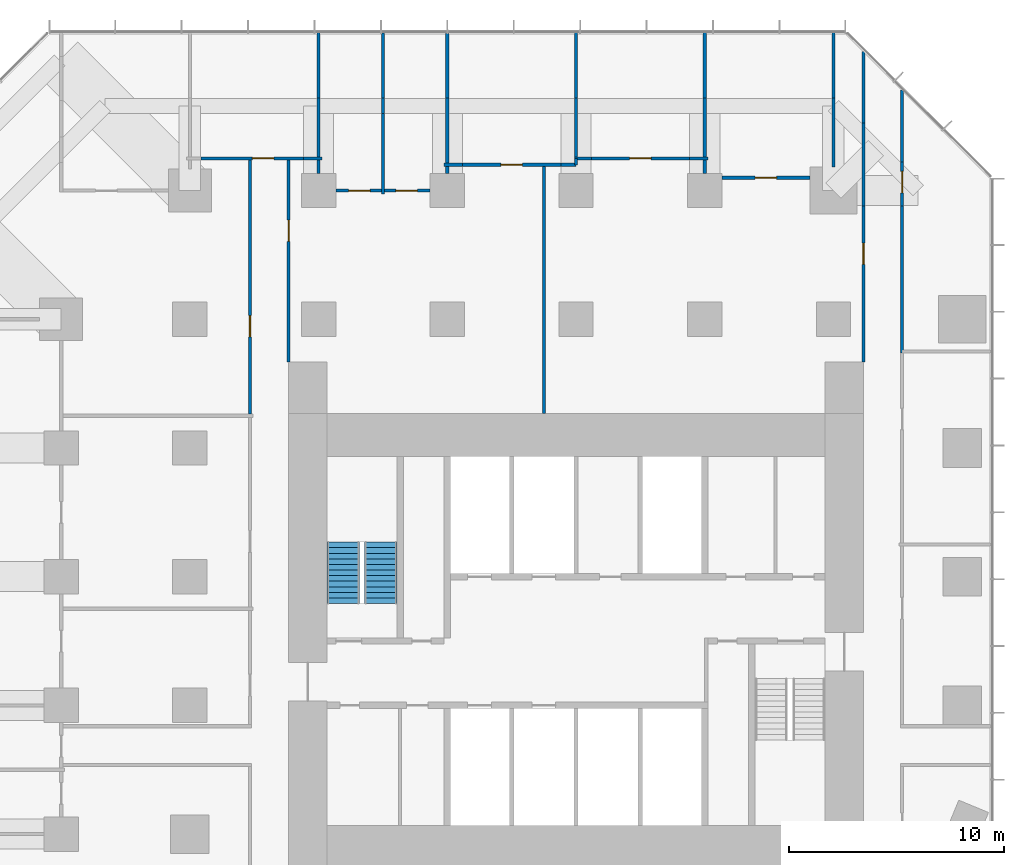
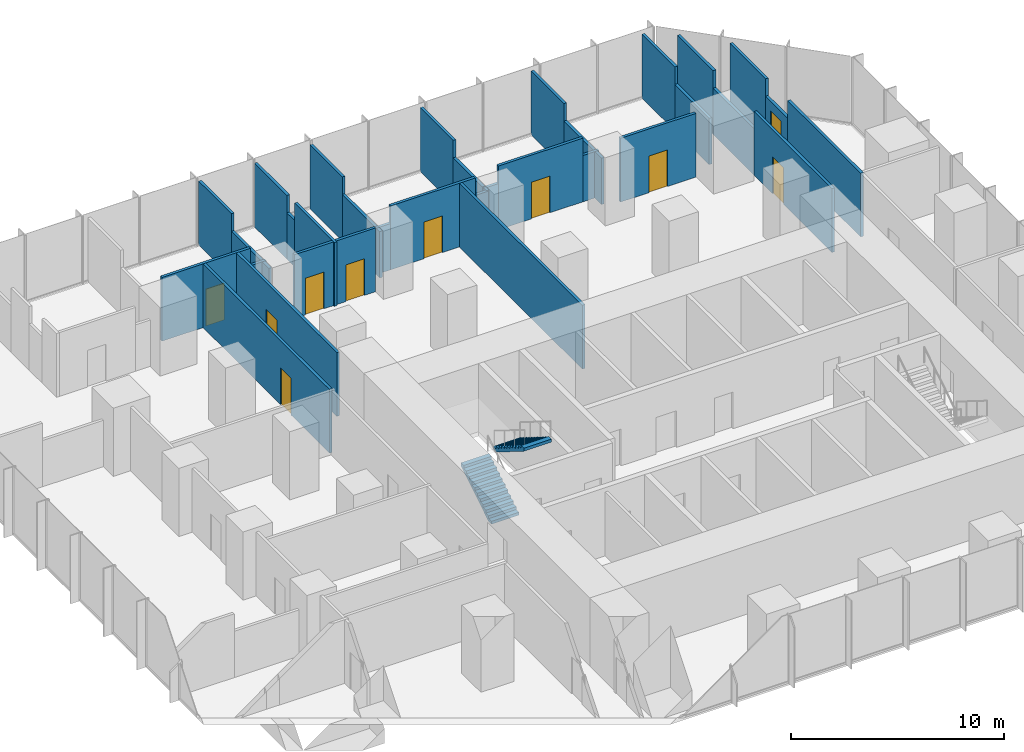
# One storey, part 10 of 12: 37 walls, 10 doors, 2 stair flights, 10 openings, 1 element without a shape of its own.
"""IFC4 building model written with IfcOpenShell, lengths in metres."""

from ifc_helpers import new_model, si_unit, direction, frame, frame_2d, origin, place, context, subcontext, project, spatial, polyline, rectangle, outline, extrude, material, layer, layer_set, type_object, element, fill, aggregate, save


model = new_model("IFC4")

# Units and contexts
model_context = context("Model", 3, precision=1e-05, world=origin(), true_north=direction((0.0, 1.0)))
body_context = subcontext(model_context, "Body", "Model", "MODEL_VIEW")
ifc_project = project(units=[si_unit("LENGTHUNIT", "METRE"), si_unit("AREAUNIT", "SQUARE_METRE"), si_unit("VOLUMEUNIT", "CUBIC_METRE"), si_unit("PLANEANGLEUNIT", "RADIAN"), si_unit("MASSUNIT", "GRAM", prefix="KILO")], contexts=[model_context])

# Site, building, storey
site_placement = place(None, origin())
site = spatial("IfcSite", under=ifc_project, at=site_placement, CompositionType="ELEMENT")
building_placement = place(site_placement, origin())
building = spatial("IfcBuilding", under=site, at=building_placement, Name="Highveld Stack Headquarters", CompositionType="ELEMENT")
storey_placement = place(building_placement, frame((0.0, 0.0, 101.60009765625)))
storey = spatial("IfcBuildingStorey", under=building, at=storey_placement, Name="L24", CompositionType="ELEMENT", Elevation=101.60009765625)

# Wall, opening, door
ifc_material_1 = material(Name="Laminated glass in aluminium frame", Category="aluminium")
ifc_layer_1 = layer(ifc_material_1, 0.14990234375)
ifc_layer_set_1 = layer_set([ifc_layer_1], Name="Laminated glass in aluminium frame")
wall_type_1 = type_object("IfcWallType", Name="GLAZED PARTITION 150", PredefinedType="PARTITIONING", material=ifc_layer_set_1)
wall_1_placement = place(storey_placement, frame((12.800048828125, 24.60009765625, 0.0), z_axis=(0.0, 0.0, 1.0), x_axis=(1.0, 0.0, 0.0)))
wall_1 = element("IfcWall", 1, at=wall_1_placement, inside=storey, type_object=wall_type_1, Name="Glazed partition Video conference room L24", PredefinedType="PARTITIONING", context=body_context, shape_type="SweptSolid", body=[
    extrude(rectangle(XDim=4.099853515625, YDim=0.14990234375, at=frame_2d((2.0498046875, 0.0))), origin(), (0.0, 0.0, 1.0), 3.64990234375),
])
opening_1_placement = place(wall_1_placement, frame((1.550048828125, 0.0, 0.0)))
opening_1 = element("IfcOpeningElement", 2, at=opening_1_placement, cuts=wall_1, Name="Opening L24-22", PredefinedType="OPENING", context=body_context, shape_type="SweptSolid", body=[
    extrude(rectangle(XDim=1.0, YDim=2.10009765625, at=frame_2d((0.5, 1.050048828125))), frame((0.0, 0.0849609375, 0.0), z_axis=(0.0, -1.0, 0.0), x_axis=(1.0, 0.0, 0.0)), (0.0, 0.0, 1.0), 0.169921875),
])
ifc_material_2 = material(Name="Timber door, oiled ash", Category="wood")
door_type = type_object("IfcDoorType", Name="ROOM DOOR D6 1000x2100", OperationType="SINGLE_SWING_LEFT", PredefinedType="DOOR", material=ifc_material_2)
door_1_placement = place(opening_1_placement, origin())
door_1 = element("IfcDoor", 3, at=door_1_placement, inside=storey, type_object=door_type, Name="Video conference room door 1 L24", OperationType="SINGLE_SWING_RIGHT", OverallHeight=2.10009765625, OverallWidth=1.0, PredefinedType="DOOR", context=body_context, shape_type="SweptSolid", body=[
    extrude(rectangle(XDim=1.0, YDim=2.10009765625, at=frame_2d((0.5, 1.050048828125))), frame((0.0, 0.02490234375, 0.0), z_axis=(0.0, -1.0, 0.0), x_axis=(1.0, 0.0, 0.0)), (0.0, 0.0, 1.0), 0.050048828125),
])
fill(opening_1, door_1)

ifc_material_3 = material(Name="Gypsum plasterboard on steel studs", Category="steel")
ifc_layer_2 = layer(ifc_material_3, 0.14990234375)
ifc_layer_set_2 = layer_set([ifc_layer_2], Name="Gypsum plasterboard on steel studs")
wall_type_2 = type_object("IfcWallType", Name="PARTITION 150 PLASTERBOARD", PredefinedType="PARTITIONING", material=ifc_layer_set_2)
wall_2_placement = place(storey_placement, frame((-5.199951171875, 24.0, 0.0), z_axis=(0.0, 0.0, 1.0), x_axis=(1.0, 0.0, 0.0)))
wall_2 = element("IfcWall", 4, at=wall_2_placement, inside=storey, type_object=wall_type_2, Name="Partition Office L24", PredefinedType="PARTITIONING", context=body_context, shape_type="SweptSolid", body=[
    extrude(rectangle(XDim=2.125, YDim=0.14990234375, at=frame_2d((1.0625, 0.0))), origin(), (0.0, 0.0, 1.0), 3.64990234375),
])
opening_2_placement = place(wall_2_placement, frame((0.60009765625, 0.0, 0.0)))
opening_2 = element("IfcOpeningElement", 5, at=opening_2_placement, cuts=wall_2, Name="Opening L24-18", PredefinedType="OPENING", context=body_context, shape_type="SweptSolid", body=[
    extrude(rectangle(XDim=1.0, YDim=2.10009765625, at=frame_2d((0.5, 1.050048828125))), frame((0.0, 0.0849609375, 0.0), z_axis=(0.0, -1.0, 0.0), x_axis=(1.0, 0.0, 0.0)), (0.0, 0.0, 1.0), 0.169921875),
])
door_2_placement = place(opening_2_placement, origin())
door_2 = element("IfcDoor", 6, at=door_2_placement, inside=storey, type_object=door_type, Name="Office door 1 L24", OperationType="SINGLE_SWING_RIGHT", OverallHeight=2.10009765625, OverallWidth=1.0, PredefinedType="DOOR", context=body_context, shape_type="SweptSolid", body=[
    extrude(rectangle(XDim=1.0, YDim=2.10009765625, at=frame_2d((0.5, 1.050048828125))), frame((0.0, 0.02490234375, 0.0), z_axis=(0.0, -1.0, 0.0), x_axis=(1.0, 0.0, 0.0)), (0.0, 0.0, 1.0), 0.050048828125),
])
fill(opening_2, door_2)

wall_3_placement = place(storey_placement, frame((-2.925048828125, 24.0, 0.0), z_axis=(0.0, 0.0, 1.0), x_axis=(1.0, 0.0, 0.0)))
wall_3 = element("IfcWall", 7, at=wall_3_placement, inside=storey, type_object=wall_type_2, Name="Partition Office L24", PredefinedType="PARTITIONING", context=body_context, shape_type="SweptSolid", body=[
    extrude(rectangle(XDim=2.125, YDim=0.14990234375, at=frame_2d((1.0625, 0.0))), origin(), (0.0, 0.0, 1.0), 3.64990234375),
])
opening_3_placement = place(wall_3_placement, frame((0.52490234375, 0.0, 0.0)))
opening_3 = element("IfcOpeningElement", 8, at=opening_3_placement, cuts=wall_3, Name="Opening L24-19", PredefinedType="OPENING", context=body_context, shape_type="SweptSolid", body=[
    extrude(rectangle(XDim=1.0, YDim=2.10009765625, at=frame_2d((0.5, 1.050048828125))), frame((0.0, 0.0849609375, 0.0), z_axis=(0.0, -1.0, 0.0), x_axis=(1.0, 0.0, 0.0)), (0.0, 0.0, 1.0), 0.169921875),
])
door_3_placement = place(opening_3_placement, origin())
door_3 = element("IfcDoor", 9, at=door_3_placement, inside=storey, type_object=door_type, Name="Office door 1 L24", OperationType="SINGLE_SWING_LEFT", OverallHeight=2.10009765625, OverallWidth=1.0, PredefinedType="DOOR", context=body_context, shape_type="SweptSolid", body=[
    extrude(rectangle(XDim=1.0, YDim=2.10009765625, at=frame_2d((0.5, 1.050048828125))), frame((0.0, 0.02490234375, 0.0), z_axis=(0.0, -1.0, 0.0), x_axis=(1.0, 0.0, 0.0)), (0.0, 0.0, 1.0), 0.050048828125),
])
fill(opening_3, door_3)

# Wall
wall_4_placement = place(storey_placement, frame((-0.14990234375, 25.199951171875, 0.0), z_axis=(0.0, 0.0, 1.0), x_axis=(1.0, 0.0, 0.0)))
element("IfcWall", 10, at=wall_4_placement, inside=storey, type_object=wall_type_2, Name="Partition Tea kitchen L24", PredefinedType="PARTITIONING", context=body_context, shape_type="SweptSolid", body=[
    extrude(rectangle(XDim=0.85986328125, YDim=0.14990234375, at=frame_2d((0.429931640625, 0.0))), origin(), (0.0, 0.0, 1.0), 2.64990234375),
])

# Wall, opening, door
wall_5_placement = place(storey_placement, frame((0.7099609375, 25.199951171875, 0.0), z_axis=(0.0, 0.0, 1.0), x_axis=(1.0, 0.0, 0.0)))
wall_5 = element("IfcWall", 11, at=wall_5_placement, inside=storey, type_object=wall_type_2, Name="Partition Tea kitchen L24", PredefinedType="PARTITIONING", context=body_context, shape_type="SweptSolid", body=[
    extrude(rectangle(XDim=4.580078125, YDim=0.14990234375, at=frame_2d((2.2900390625, 0.0))), origin(), (0.0, 0.0, 1.0), 3.64990234375),
])
opening_4_placement = place(wall_5_placement, frame((1.7900390625, 0.0, 0.0)))
opening_4 = element("IfcOpeningElement", 12, at=opening_4_placement, cuts=wall_5, Name="Opening L24-20", PredefinedType="OPENING", context=body_context, shape_type="SweptSolid", body=[
    extrude(rectangle(XDim=1.0, YDim=2.10009765625, at=frame_2d((0.5, 1.050048828125))), frame((0.0, 0.0849609375, 0.0), z_axis=(0.0, -1.0, 0.0), x_axis=(1.0, 0.0, 0.0)), (0.0, 0.0, 1.0), 0.169921875),
])
door_4_placement = place(opening_4_placement, origin())
door_4 = element("IfcDoor", 13, at=door_4_placement, inside=storey, type_object=door_type, Name="Tea kitchen door 1 L24", OperationType="SINGLE_SWING_RIGHT", OverallHeight=2.10009765625, OverallWidth=1.0, PredefinedType="DOOR", context=body_context, shape_type="SweptSolid", body=[
    extrude(rectangle(XDim=1.0, YDim=2.10009765625, at=frame_2d((0.5, 1.050048828125))), frame((0.0, 0.02490234375, 0.0), z_axis=(0.0, -1.0, 0.0), x_axis=(1.0, 0.0, 0.0)), (0.0, 0.0, 1.0), 0.050048828125),
])
fill(opening_4, door_4)

# Wall
wall_6_placement = place(storey_placement, frame((5.2900390625, 25.199951171875, 0.0), z_axis=(0.0, 0.0, 1.0), x_axis=(1.0, 0.0, 0.0)))
element("IfcWall", 14, at=wall_6_placement, inside=storey, type_object=wall_type_2, Name="Partition Tea kitchen L24", PredefinedType="PARTITIONING", context=body_context, shape_type="SweptSolid", body=[
    extrude(rectangle(XDim=0.7099609375, YDim=0.14990234375, at=frame_2d((0.35498046875, 0.0))), origin(), (0.0, 0.0, 1.0), 2.64990234375),
])

# Wall, opening, door
wall_7_placement = place(storey_placement, frame((-11.489990234375, 25.5, 0.0), z_axis=(0.0, 0.0, 1.0), x_axis=(1.0, 0.0, 0.0)))
wall_7 = element("IfcWall", 15, at=wall_7_placement, inside=storey, type_object=wall_type_2, Name="Partition Quiet room L24", PredefinedType="PARTITIONING", context=body_context, shape_type="SweptSolid", body=[
    extrude(rectangle(XDim=4.780029296875, YDim=0.14990234375, at=frame_2d((2.39013671875, 0.0))), origin(), (0.0, 0.0, 1.0), 3.64990234375),
])
opening_5_placement = place(wall_7_placement, frame((2.39990234375, 0.0, 0.0)))
opening_5 = element("IfcOpeningElement", 16, at=opening_5_placement, cuts=wall_7, Name="Opening L24-17", PredefinedType="OPENING", context=body_context, shape_type="SweptSolid", body=[
    extrude(rectangle(XDim=1.0, YDim=2.10009765625, at=frame_2d((0.5, 1.050048828125))), frame((0.0, 0.0849609375, 0.0), z_axis=(0.0, -1.0, 0.0), x_axis=(1.0, 0.0, 0.0)), (0.0, 0.0, 1.0), 0.169921875),
])
door_5_placement = place(opening_5_placement, origin())
door_5 = element("IfcDoor", 17, at=door_5_placement, inside=storey, type_object=door_type, Name="Quiet room door 1 L24", OperationType="SINGLE_SWING_RIGHT", OverallHeight=2.10009765625, OverallWidth=1.0, PredefinedType="DOOR", context=body_context, shape_type="SweptSolid", body=[
    extrude(rectangle(XDim=1.0, YDim=2.10009765625, at=frame_2d((0.5, 1.050048828125))), frame((0.0, 0.02490234375, 0.0), z_axis=(0.0, -1.0, 0.0), x_axis=(1.0, 0.0, 0.0)), (0.0, 0.0, 1.0), 0.050048828125),
])
fill(opening_5, door_5)

# Walls
wall_8_placement = place(storey_placement, frame((-6.7099609375, 25.5, 0.0), z_axis=(0.0, 0.0, 1.0), x_axis=(1.0, 0.0, 0.0)))
element("IfcWall", 18, at=wall_8_placement, inside=storey, type_object=wall_type_2, Name="Partition Quiet room L24", PredefinedType="PARTITIONING", context=body_context, shape_type="SweptSolid", body=[
    extrude(rectangle(XDim=0.85986328125, YDim=0.14990234375, at=frame_2d((0.429931640625, 0.0))), origin(), (0.0, 0.0, 1.0), 2.64990234375),
])
wall_9_placement = place(storey_placement, frame((5.925048828125, 25.5, 0.0), z_axis=(0.0, 0.0, 1.0), x_axis=(1.0, 0.0, 0.0)))
element("IfcWall", 19, at=wall_9_placement, inside=storey, type_object=wall_type_2, Name="Partition Quiet room L24", PredefinedType="PARTITIONING", context=body_context, shape_type="SweptSolid", body=[
    extrude(rectangle(XDim=0.784912109375, YDim=0.14990234375, at=frame_2d((0.392578125, 0.0))), origin(), (0.0, 0.0, 1.0), 2.64990234375),
])

# Wall, opening, door
wall_10_placement = place(storey_placement, frame((6.7099609375, 25.5, 0.0), z_axis=(0.0, 0.0, 1.0), x_axis=(1.0, 0.0, 0.0)))
wall_10 = element("IfcWall", 20, at=wall_10_placement, inside=storey, type_object=wall_type_2, Name="Partition Quiet room L24", PredefinedType="PARTITIONING", context=body_context, shape_type="SweptSolid", body=[
    extrude(rectangle(XDim=4.580078125, YDim=0.14990234375, at=frame_2d((2.2900390625, 0.0))), origin(), (0.0, 0.0, 1.0), 3.64990234375),
])
opening_6_placement = place(wall_10_placement, frame((1.7900390625, 0.0, 0.0)))
opening_6 = element("IfcOpeningElement", 21, at=opening_6_placement, cuts=wall_10, Name="Opening L24-21", PredefinedType="OPENING", context=body_context, shape_type="SweptSolid", body=[
    extrude(rectangle(XDim=1.0, YDim=2.10009765625, at=frame_2d((0.5, 1.050048828125))), frame((0.0, 0.0849609375, 0.0), z_axis=(0.0, -1.0, 0.0), x_axis=(1.0, 0.0, 0.0)), (0.0, 0.0, 1.0), 0.169921875),
])
door_6_placement = place(opening_6_placement, origin())
door_6 = element("IfcDoor", 22, at=door_6_placement, inside=storey, type_object=door_type, Name="Quiet room door 1 L24", OperationType="SINGLE_SWING_LEFT", OverallHeight=2.10009765625, OverallWidth=1.0, PredefinedType="DOOR", context=body_context, shape_type="SweptSolid", body=[
    extrude(rectangle(XDim=1.0, YDim=2.10009765625, at=frame_2d((0.5, 1.050048828125))), frame((0.0, 0.02490234375, 0.0), z_axis=(0.0, -1.0, 0.0), x_axis=(1.0, 0.0, 0.0)), (0.0, 0.0, 1.0), 0.050048828125),
])
fill(opening_6, door_6)

# Walls
wall_11_placement = place(storey_placement, frame((11.2900390625, 25.5, 0.0), z_axis=(0.0, 0.0, 1.0), x_axis=(1.0, 0.0, 0.0)))
element("IfcWall", 23, at=wall_11_placement, inside=storey, type_object=wall_type_2, Name="Partition Quiet room L24", PredefinedType="PARTITIONING", context=body_context, shape_type="SweptSolid", body=[
    extrude(rectangle(XDim=0.85986328125, YDim=0.14990234375, at=frame_2d((0.429931640625, 0.0))), origin(), (0.0, 0.0, 1.0), 2.64990234375),
])
wall_12_placement = place(storey_placement, frame((-6.0, 24.800048828125, 0.0), z_axis=(0.0, 0.0, 1.0), x_axis=(0.0, 1.0, 0.0)))
element("IfcWall", 24, at=wall_12_placement, inside=storey, type_object=wall_type_2, Name="Partition Office L24", PredefinedType="PARTITIONING", context=body_context, shape_type="SweptSolid", body=[
    extrude(rectangle(XDim=0.625, YDim=0.14990234375, at=frame_2d((0.3125, 0.0))), origin(), (0.0, 0.0, 1.0), 2.64990234375),
])
wall_13_placement = place(storey_placement, frame((-6.0, 25.574951171875, 0.0), z_axis=(0.0, 0.0, 1.0), x_axis=(0.0, 1.0, 0.0)))
element("IfcWall", 25, at=wall_13_placement, inside=storey, type_object=wall_type_2, Name="Partition Office / Quiet room L24", PredefinedType="PARTITIONING", context=body_context, shape_type="SweptSolid", body=[
    extrude(rectangle(XDim=2.735107421875, YDim=0.14990234375, at=frame_2d((1.36767578125, 0.0))), origin(), (0.0, 0.0, 1.0), 2.64990234375),
])
wall_14_placement = place(storey_placement, frame((-6.0, 28.31005859375, 0.0), z_axis=(0.0, 0.0, 1.0), x_axis=(0.0, 1.0, 0.0)))
element("IfcWall", 26, at=wall_14_placement, inside=storey, type_object=wall_type_2, Name="Partition Office / Quiet room L24", PredefinedType="PARTITIONING", context=body_context, shape_type="SweptSolid", body=[
    extrude(rectangle(XDim=3.08984375, YDim=0.14990234375, at=frame_2d((1.544921875, 0.0))), origin(), (0.0, 0.0, 1.0), 3.64990234375),
])
wall_15_placement = place(storey_placement, frame((-3.0, 23.85009765625, 0.0), z_axis=(0.0, 0.0, 1.0), x_axis=(0.0, 1.0, 0.0)))
element("IfcWall", 27, at=wall_15_placement, inside=storey, type_object=wall_type_2, Name="Partition Office L24", PredefinedType="PARTITIONING", context=body_context, shape_type="SweptSolid", body=[
    extrude(rectangle(XDim=3.739990234375, YDim=0.14990234375, at=frame_2d((1.8701171875, 0.0))), origin(), (0.0, 0.0, 1.0), 3.64990234375),
])
wall_16_placement = place(storey_placement, frame((-3.0, 27.590087890625, 0.0), z_axis=(0.0, 0.0, 1.0), x_axis=(0.0, 1.0, 0.0)))
element("IfcWall", 28, at=wall_16_placement, inside=storey, type_object=wall_type_2, Name="Partition Office L24", PredefinedType="PARTITIONING", context=body_context, shape_type="SweptSolid", body=[
    extrude(rectangle(XDim=0.719970703125, YDim=0.14990234375, at=frame_2d((0.35986328125, 0.0))), origin(), (0.0, 0.0, 1.0), 2.64990234375),
])
wall_17_placement = place(storey_placement, frame((-3.0, 28.31005859375, 0.0), z_axis=(0.0, 0.0, 1.0), x_axis=(0.0, 1.0, 0.0)))
element("IfcWall", 29, at=wall_17_placement, inside=storey, type_object=wall_type_2, Name="Partition Office L24", PredefinedType="PARTITIONING", context=body_context, shape_type="SweptSolid", body=[
    extrude(rectangle(XDim=3.0400390625, YDim=0.14990234375, at=frame_2d((1.52001953125, 0.0))), origin(), (0.0, 0.0, 1.0), 3.64990234375),
])
wall_18_placement = place(storey_placement, frame((0.0, 24.800048828125, 0.0), z_axis=(0.0, 0.0, 1.0), x_axis=(0.0, 1.0, 0.0)))
element("IfcWall", 30, at=wall_18_placement, inside=storey, type_object=wall_type_2, Name="Partition Office L24", PredefinedType="PARTITIONING", context=body_context, shape_type="SweptSolid", body=[
    extrude(rectangle(XDim=0.324951171875, YDim=0.14990234375, at=frame_2d((0.16259765625, 0.0))), origin(), (0.0, 0.0, 1.0), 2.64990234375),
])
wall_19_placement = place(storey_placement, frame((0.0, 25.27490234375, 0.0), z_axis=(0.0, 0.0, 1.0), x_axis=(0.0, 1.0, 0.0)))
element("IfcWall", 31, at=wall_19_placement, inside=storey, type_object=wall_type_2, Name="Partition Office / Tea kitchen L24", PredefinedType="PARTITIONING", context=body_context, shape_type="SweptSolid", body=[
    extrude(rectangle(XDim=3.03515625, YDim=0.14990234375, at=frame_2d((1.517578125, 0.0))), origin(), (0.0, 0.0, 1.0), 2.64990234375),
])
wall_20_placement = place(storey_placement, frame((0.0, 28.31005859375, 0.0), z_axis=(0.0, 0.0, 1.0), x_axis=(0.0, 1.0, 0.0)))
element("IfcWall", 32, at=wall_20_placement, inside=storey, type_object=wall_type_2, Name="Partition Office / Tea kitchen L24", PredefinedType="PARTITIONING", context=body_context, shape_type="SweptSolid", body=[
    extrude(rectangle(XDim=3.0400390625, YDim=0.14990234375, at=frame_2d((1.52001953125, 0.0))), origin(), (0.0, 0.0, 1.0), 3.64990234375),
])
wall_21_placement = place(storey_placement, frame((6.0, 25.199951171875, 0.0), z_axis=(0.0, 0.0, 1.0), x_axis=(0.0, 1.0, 0.0)))
element("IfcWall", 33, at=wall_21_placement, inside=storey, type_object=wall_type_2, Name="Partition Tea kitchen L24", PredefinedType="PARTITIONING", context=body_context, shape_type="SweptSolid", body=[
    extrude(rectangle(XDim=0.300048828125, YDim=0.14990234375, at=frame_2d((0.14990234375, 0.0))), origin(), (0.0, 0.0, 1.0), 2.64990234375),
])
wall_22_placement = place(storey_placement, frame((6.0, 25.574951171875, 0.0), z_axis=(0.0, 0.0, 1.0), x_axis=(0.0, 1.0, 0.0)))
element("IfcWall", 34, at=wall_22_placement, inside=storey, type_object=wall_type_2, Name="Partition Quiet room / Tea kitchen L24", PredefinedType="PARTITIONING", context=body_context, shape_type="SweptSolid", body=[
    extrude(rectangle(XDim=2.735107421875, YDim=0.14990234375, at=frame_2d((1.36767578125, 0.0))), origin(), (0.0, 0.0, 1.0), 2.64990234375),
])
wall_23_placement = place(storey_placement, frame((6.0, 28.31005859375, 0.0), z_axis=(0.0, 0.0, 1.0), x_axis=(0.0, 1.0, 0.0)))
element("IfcWall", 35, at=wall_23_placement, inside=storey, type_object=wall_type_2, Name="Partition Quiet room / Tea kitchen L24", PredefinedType="PARTITIONING", context=body_context, shape_type="SweptSolid", body=[
    extrude(rectangle(XDim=3.08984375, YDim=0.14990234375, at=frame_2d((1.544921875, 0.0))), origin(), (0.0, 0.0, 1.0), 3.64990234375),
])
wall_24_placement = place(storey_placement, frame((12.0, 24.800048828125, 0.0), z_axis=(0.0, 0.0, 1.0), x_axis=(0.0, 1.0, 0.0)))
element("IfcWall", 36, at=wall_24_placement, inside=storey, type_object=wall_type_2, Name="Partition Video conference room L24", PredefinedType="PARTITIONING", context=body_context, shape_type="SweptSolid", body=[
    extrude(rectangle(XDim=0.625, YDim=0.14990234375, at=frame_2d((0.3125, 0.0))), origin(), (0.0, 0.0, 1.0), 2.64990234375),
])
wall_25_placement = place(storey_placement, frame((12.0, 25.574951171875, 0.0), z_axis=(0.0, 0.0, 1.0), x_axis=(0.0, 1.0, 0.0)))
element("IfcWall", 37, at=wall_25_placement, inside=storey, type_object=wall_type_2, Name="Partition Quiet room / Video conference room L24", PredefinedType="PARTITIONING", context=body_context, shape_type="SweptSolid", body=[
    extrude(rectangle(XDim=2.735107421875, YDim=0.14990234375, at=frame_2d((1.36767578125, 0.0))), origin(), (0.0, 0.0, 1.0), 2.64990234375),
])
wall_26_placement = place(storey_placement, frame((12.0, 28.31005859375, 0.0), z_axis=(0.0, 0.0, 1.0), x_axis=(0.0, 1.0, 0.0)))
element("IfcWall", 38, at=wall_26_placement, inside=storey, type_object=wall_type_2, Name="Partition Quiet room / Video conference room L24", PredefinedType="PARTITIONING", context=body_context, shape_type="SweptSolid", body=[
    extrude(rectangle(XDim=3.08984375, YDim=0.14990234375, at=frame_2d((1.544921875, 0.0))), origin(), (0.0, 0.0, 1.0), 3.64990234375),
])
wall_27_placement = place(storey_placement, frame((18.0, 25.10009765625, 0.0), z_axis=(0.0, 0.0, 1.0), x_axis=(0.0, 1.0, 0.0)))
element("IfcWall", 39, at=wall_27_placement, inside=storey, type_object=wall_type_2, Name="Partition Video conference room L24", PredefinedType="PARTITIONING", context=body_context, shape_type="SweptSolid", body=[
    extrude(rectangle(XDim=3.2099609375, YDim=0.14990234375, at=frame_2d((1.60498046875, 0.0))), origin(), (0.0, 0.0, 1.0), 2.64990234375),
])
wall_28_placement = place(storey_placement, frame((18.0, 28.31005859375, 0.0), z_axis=(0.0, 0.0, 1.0), x_axis=(0.0, 1.0, 0.0)))
element("IfcWall", 40, at=wall_28_placement, inside=storey, type_object=wall_type_2, Name="Partition Video conference room L24", PredefinedType="PARTITIONING", context=body_context, shape_type="SweptSolid", body=[
    extrude(rectangle(XDim=3.08984375, YDim=0.14990234375, at=frame_2d((1.544921875, 0.0))), origin(), (0.0, 0.0, 1.0), 3.64990234375),
])

# Wall, opening, door
wall_29_placement = place(storey_placement, frame((-9.199951171875, 13.574951171875, 0.0), z_axis=(0.0, 0.0, 1.0), x_axis=(0.0, 1.0, 0.0)))
wall_29 = element("IfcWall", 41, at=wall_29_placement, inside=storey, type_object=wall_type_2, Name="Partition office neighbourhood L24", PredefinedType="PARTITIONING", context=body_context, shape_type="SweptSolid", body=[
    extrude(rectangle(XDim=11.85009765625, YDim=0.14990234375, at=frame_2d((5.925048828125, 0.0))), origin(), (0.0, 0.0, 1.0), 3.64990234375),
])
opening_7_placement = place(wall_29_placement, frame((3.59912109375, 0.0, 0.0)))
opening_7 = element("IfcOpeningElement", 42, at=opening_7_placement, cuts=wall_29, Name="Opening L24-30", PredefinedType="OPENING", context=body_context, shape_type="SweptSolid", body=[
    extrude(rectangle(XDim=1.0, YDim=2.10009765625, at=frame_2d((0.5, 1.050048828125))), frame((0.0, 0.0849609375, 0.0), z_axis=(0.0, -1.0, 0.0), x_axis=(1.0, 0.0, 0.0)), (0.0, 0.0, 1.0), 0.169921875),
])
door_7_placement = place(opening_7_placement, origin())
door_7 = element("IfcDoor", 43, at=door_7_placement, inside=storey, type_object=door_type, Name="Office neighbourhood door L24", OperationType="SINGLE_SWING_LEFT", OverallHeight=2.10009765625, OverallWidth=1.0, PredefinedType="DOOR", context=body_context, shape_type="SweptSolid", body=[
    extrude(rectangle(XDim=1.0, YDim=2.10009765625, at=frame_2d((0.5, 1.050048828125))), frame((0.0, 0.02490234375, 0.0), z_axis=(0.0, -1.0, 0.0), x_axis=(1.0, 0.0, 0.0)), (0.0, 0.0, 1.0), 0.050048828125),
])
fill(opening_7, door_7)

wall_30_placement = place(storey_placement, frame((-7.39990234375, 16.0, 0.0), z_axis=(0.0, 0.0, 1.0), x_axis=(0.0, 1.0, 0.0)))
wall_30 = element("IfcWall", 44, at=wall_30_placement, inside=storey, type_object=wall_type_2, Name="Partition office neighbourhood L24", PredefinedType="PARTITIONING", context=body_context, shape_type="SweptSolid", body=[
    extrude(rectangle(XDim=9.425048828125, YDim=0.14990234375, at=frame_2d((4.71240234375, 0.0))), origin(), (0.0, 0.0, 1.0), 3.64990234375),
])
opening_8_placement = place(wall_30_placement, frame((5.6259765625, 0.0, 0.0)))
opening_8 = element("IfcOpeningElement", 45, at=opening_8_placement, cuts=wall_30, Name="Opening L24-28", PredefinedType="OPENING", context=body_context, shape_type="SweptSolid", body=[
    extrude(rectangle(XDim=1.0, YDim=2.10009765625, at=frame_2d((0.5, 1.050048828125))), frame((0.0, 0.0849609375, 0.0), z_axis=(0.0, -1.0, 0.0), x_axis=(1.0, 0.0, 0.0)), (0.0, 0.0, 1.0), 0.169921875),
])
door_8_placement = place(opening_8_placement, origin())
door_8 = element("IfcDoor", 46, at=door_8_placement, inside=storey, type_object=door_type, Name="Office neighbourhood door L24", OperationType="SINGLE_SWING_RIGHT", OverallHeight=2.10009765625, OverallWidth=1.0, PredefinedType="DOOR", context=body_context, shape_type="SweptSolid", body=[
    extrude(rectangle(XDim=1.0, YDim=2.10009765625, at=frame_2d((0.5, 1.050048828125))), frame((0.0, 0.02490234375, 0.0), z_axis=(0.0, -1.0, 0.0), x_axis=(1.0, 0.0, 0.0)), (0.0, 0.0, 1.0), 0.050048828125),
])
fill(opening_8, door_8)

# Wall
wall_31_placement = place(storey_placement, frame((4.5, 13.60009765625, 0.0), z_axis=(0.0, 0.0, 1.0), x_axis=(0.0, 1.0, 0.0)))
element("IfcWall", 47, at=wall_31_placement, inside=storey, type_object=wall_type_2, Name="Partition office neighbourhood L24", PredefinedType="PARTITIONING", context=body_context, shape_type="SweptSolid", body=[
    extrude(rectangle(XDim=11.52490234375, YDim=0.14990234375, at=frame_2d((5.762451171875, 0.0))), origin(), (0.0, 0.0, 1.0), 3.64990234375),
])

# Wall, opening, door
wall_32_placement = place(storey_placement, frame((19.39990234375, 16.0, 0.0), z_axis=(0.0, 0.0, 1.0), x_axis=(0.0, 1.0, 0.0)))
wall_32 = element("IfcWall", 48, at=wall_32_placement, inside=storey, type_object=wall_type_2, Name="Partition office neighbourhood L24", PredefinedType="PARTITIONING", context=body_context, shape_type="SweptSolid", body=[
    extrude(rectangle(XDim=7.2900390625, YDim=0.14990234375, at=frame_2d((3.64501953125, 0.0))), origin(), (0.0, 0.0, 1.0), 3.64990234375),
])
opening_9_placement = place(wall_32_placement, frame((4.553955078125, 0.0, 0.0)))
opening_9 = element("IfcOpeningElement", 49, at=opening_9_placement, cuts=wall_32, Name="Opening L24-29", PredefinedType="OPENING", context=body_context, shape_type="SweptSolid", body=[
    extrude(rectangle(XDim=1.0, YDim=2.10009765625, at=frame_2d((0.5, 1.050048828125))), frame((0.0, 0.0849609375, 0.0), z_axis=(0.0, -1.0, 0.0), x_axis=(1.0, 0.0, 0.0)), (0.0, 0.0, 1.0), 0.169921875),
])
door_9_placement = place(opening_9_placement, origin())
door_9 = element("IfcDoor", 50, at=door_9_placement, inside=storey, type_object=door_type, Name="Office neighbourhood door L24", OperationType="SINGLE_SWING_RIGHT", OverallHeight=2.10009765625, OverallWidth=1.0, PredefinedType="DOOR", context=body_context, shape_type="SweptSolid", body=[
    extrude(rectangle(XDim=1.0, YDim=2.10009765625, at=frame_2d((0.5, 1.050048828125))), frame((0.0, 0.02490234375, 0.0), z_axis=(0.0, -1.0, 0.0), x_axis=(1.0, 0.0, 0.0)), (0.0, 0.0, 1.0), 0.050048828125),
])
fill(opening_9, door_9)

# Walls
wall_33_placement = place(storey_placement, frame((19.39990234375, 23.2900390625, 0.0), z_axis=(0.0, 0.0, 1.0), x_axis=(0.0, 1.0, 0.0)))
element("IfcWall", 51, at=wall_33_placement, inside=storey, type_object=wall_type_2, Name="Partition office neighbourhood L24", PredefinedType="PARTITIONING", context=body_context, shape_type="SweptSolid", body=[
    extrude(rectangle(XDim=3.849853515625, YDim=0.14990234375, at=frame_2d((1.9248046875, 0.0))), origin(), (0.0, 0.0, 1.0), 2.64990234375),
])
wall_34_placement = place(storey_placement, frame((19.39990234375, 27.139892578125, 0.0), z_axis=(0.0, 0.0, 1.0), x_axis=(0.0, 1.0, 0.0)))
element("IfcWall", 52, at=wall_34_placement, inside=storey, type_object=wall_type_2, Name="Partition office neighbourhood L24", PredefinedType="PARTITIONING", context=body_context, shape_type="SweptSolid", body=[
    extrude(rectangle(XDim=3.34912109375, YDim=0.14990234375, at=frame_2d((1.674560546875, 0.0))), origin(), (0.0, 0.0, 1.0), 3.64990234375),
])
wall_35_placement = place(storey_placement, frame((21.199951171875, 16.425048828125, 0.0), z_axis=(0.0, 0.0, 1.0), x_axis=(0.0, 1.0, 0.0)))
element("IfcWall", 53, at=wall_35_placement, inside=storey, type_object=wall_type_2, Name="Partition office neighbourhood L24", PredefinedType="PARTITIONING", context=body_context, shape_type="SweptSolid", body=[
    extrude(rectangle(XDim=6.864990234375, YDim=0.14990234375, at=frame_2d((3.4326171875, 0.0))), origin(), (0.0, 0.0, 1.0), 3.64990234375),
])

# Wall, opening, door
wall_36_placement = place(storey_placement, frame((21.199951171875, 23.2900390625, 0.0), z_axis=(0.0, 0.0, 1.0), x_axis=(0.0, 1.0, 0.0)))
wall_36 = element("IfcWall", 54, at=wall_36_placement, inside=storey, type_object=wall_type_2, Name="Partition office neighbourhood L24", PredefinedType="PARTITIONING", context=body_context, shape_type="SweptSolid", body=[
    extrude(rectangle(XDim=2.050048828125, YDim=0.14990234375, at=frame_2d((1.02490234375, 0.0))), origin(), (0.0, 0.0, 1.0), 2.64990234375),
])
opening_10_placement = place(wall_36_placement, frame((0.60009765625, 0.0, 0.0)))
opening_10 = element("IfcOpeningElement", 55, at=opening_10_placement, cuts=wall_36, Name="Opening L24-31", PredefinedType="OPENING", context=body_context, shape_type="SweptSolid", body=[
    extrude(rectangle(XDim=1.0, YDim=2.10009765625, at=frame_2d((0.5, 1.050048828125))), frame((0.0, 0.0849609375, 0.0), z_axis=(0.0, -1.0, 0.0), x_axis=(1.0, 0.0, 0.0)), (0.0, 0.0, 1.0), 0.169921875),
])
door_10_placement = place(opening_10_placement, origin())
door_10 = element("IfcDoor", 56, at=door_10_placement, inside=storey, type_object=door_type, Name="Office neighbourhood door L24", OperationType="SINGLE_SWING_RIGHT", OverallHeight=2.10009765625, OverallWidth=1.0, PredefinedType="DOOR", context=body_context, shape_type="SweptSolid", body=[
    extrude(rectangle(XDim=1.0, YDim=2.10009765625, at=frame_2d((0.5, 1.050048828125))), frame((0.0, 0.02490234375, 0.0), z_axis=(0.0, -1.0, 0.0), x_axis=(1.0, 0.0, 0.0)), (0.0, 0.0, 1.0), 0.050048828125),
])
fill(opening_10, door_10)

# Wall
wall_37_placement = place(storey_placement, frame((21.199951171875, 25.340087890625, 0.0), z_axis=(0.0, 0.0, 1.0), x_axis=(0.0, 1.0, 0.0)))
element("IfcWall", 57, at=wall_37_placement, inside=storey, type_object=wall_type_2, Name="Partition office neighbourhood L24", PredefinedType="PARTITIONING", context=body_context, shape_type="SweptSolid", body=[
    extrude(rectangle(XDim=3.348876953125, YDim=0.14990234375, at=frame_2d((1.67431640625, 0.0))), origin(), (0.0, 0.0, 1.0), 3.64990234375),
])

# Stair, stair flights
ifc_material_4 = material(Name="Concrete C40/50, precast", Category="concrete")
stair_type = type_object("IfcStairType", Name="STAIR S1 HALF TURN 1500", PredefinedType="HALF_TURN_STAIR", material=ifc_material_4)
stair_placement = place(storey_placement, origin())
stair = element("IfcStair", 58, at=stair_placement, inside=storey, type_object=stair_type, Name="Stair S1 L24", PredefinedType="HALF_TURN_STAIR")
ifc_material_5 = material(Name="Concrete C40/50, precast", Category="concrete")
stair_flight_type = type_object("IfcStairFlightType", Name="STAIR FLIGHT 1500 PRECAST", PredefinedType="STRAIGHT", material=ifc_material_5)
stair_flight_1_placement = place(storey_placement, frame((-4.85009765625, 4.75, 0.0), z_axis=(0.0, 0.0, 1.0), x_axis=(0.0, 1.0, 0.0)))
stair_flight_1 = element("IfcStairFlight", 59, at=stair_flight_1_placement, type_object=stair_flight_type, Name="S1 flight 1", NumberOfRisers=12, NumberOfTreads=11, PredefinedType="STRAIGHT", RiserHeight=0.1625, TreadLength=0.26, context=body_context, shape_type="SweptSolid", body=[
    extrude(outline(polyline([(0.0, 0.0), (0.0, 0.16259765625), (0.260009765625, 0.16259765625), (0.260009765625, 0.324951171875), (0.52001953125, 0.324951171875), (0.52001953125, 0.487548828125), (0.780029296875, 0.487548828125), (0.780029296875, 0.64990234375), (1.0400390625, 0.64990234375), (1.0400390625, 0.8125), (1.300048828125, 0.8125), (1.300048828125, 0.97509765625), (1.56005859375, 0.97509765625), (1.56005859375, 1.137451171875), (1.820068359375, 1.137451171875), (1.820068359375, 1.300048828125), (2.080078125, 1.300048828125), (2.080078125, 1.46240234375), (2.340087890625, 1.46240234375), (2.340087890625, 1.625), (2.60009765625, 1.625), (2.60009765625, 1.78759765625), (2.860107421875, 1.78759765625), (2.860107421875, 1.949951171875), (2.860107421875, 1.61083984375), (0.28271484375, 0.0), (0.0, 0.0)])), frame((0.0, 0.75, 0.0), z_axis=(0.0, -1.0, 0.0), x_axis=(1.0, 0.0, 0.0)), (0.0, 0.0, 1.0), 1.5),
])
stair_flight_2_placement = place(storey_placement, frame((-3.10009765625, 7.610107421875, 1.949951171875), z_axis=(0.0, 0.0, 1.0), x_axis=(0.0, -1.0, 0.0)))
stair_flight_2 = element("IfcStairFlight", 60, at=stair_flight_2_placement, type_object=stair_flight_type, Name="S1 flight 2", NumberOfRisers=12, NumberOfTreads=11, PredefinedType="STRAIGHT", RiserHeight=0.1625, TreadLength=0.26, context=body_context, shape_type="SweptSolid", body=[
    extrude(outline(polyline([(0.0, 0.0), (0.0, 0.16259765625), (0.260009765625, 0.16259765625), (0.260009765625, 0.324951171875), (0.52001953125, 0.324951171875), (0.52001953125, 0.487548828125), (0.780029296875, 0.487548828125), (0.780029296875, 0.64990234375), (1.0400390625, 0.64990234375), (1.0400390625, 0.8125), (1.300048828125, 0.8125), (1.300048828125, 0.97509765625), (1.56005859375, 0.97509765625), (1.56005859375, 1.137451171875), (1.820068359375, 1.137451171875), (1.820068359375, 1.300048828125), (2.080078125, 1.300048828125), (2.080078125, 1.46240234375), (2.340087890625, 1.46240234375), (2.340087890625, 1.625), (2.60009765625, 1.625), (2.60009765625, 1.78759765625), (2.860107421875, 1.78759765625), (2.860107421875, 1.949951171875), (2.860107421875, 1.61083984375), (0.28271484375, 0.0), (0.0, 0.0)])), frame((0.0, 0.75, 0.0), z_axis=(0.0, -1.0, 0.0), x_axis=(1.0, 0.0, 0.0)), (0.0, 0.0, 1.0), 1.5),
])
aggregate(stair, [stair_flight_1, stair_flight_2])

save(model, "model.ifc")
